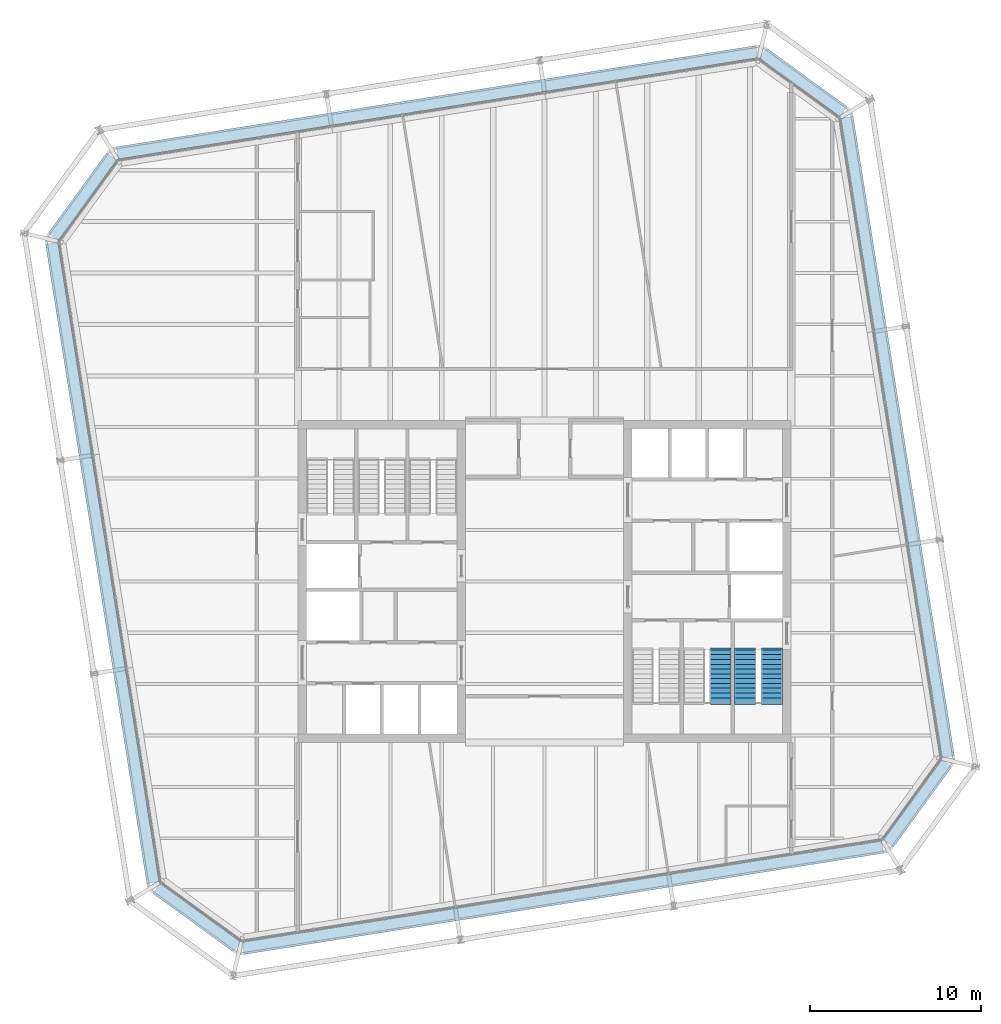
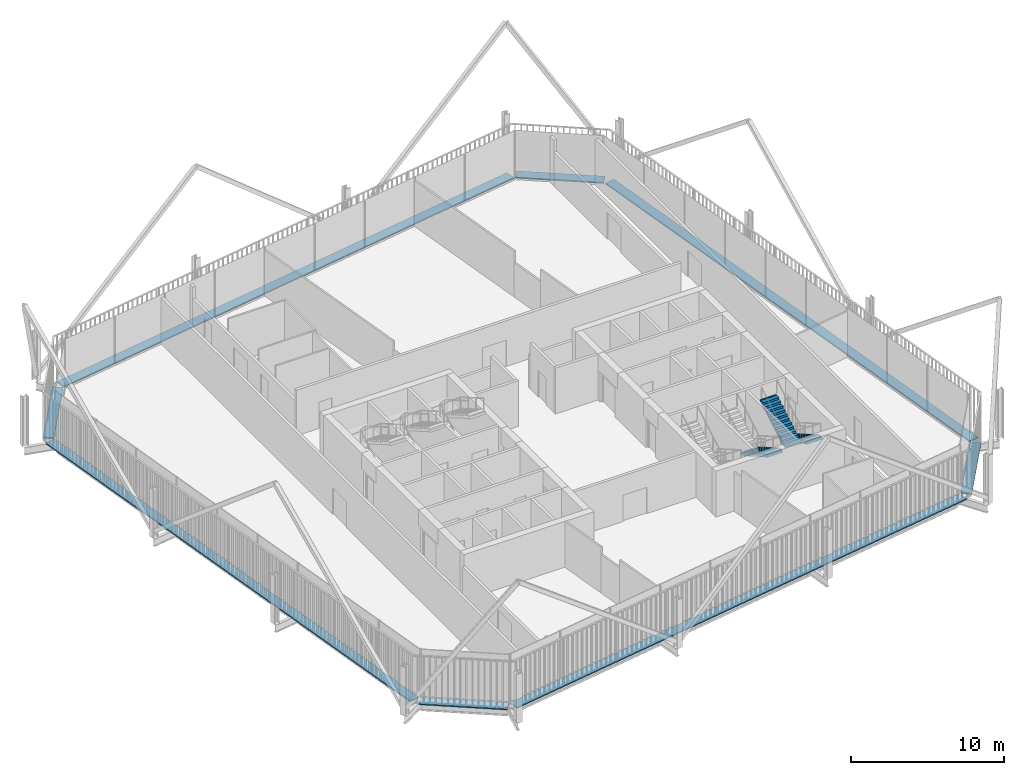
# One storey, part 20 of 21: 8 discrete accessories, 3 stair flights, 2 elements without a shape of their own.
"""IFC4 building model written with IfcOpenShell, lengths in metres."""

from ifc_helpers import new_model, si_unit, direction, frame, origin, origin_2d, place, context, subcontext, project, spatial, polyline, rectangle, outline, extrude, material, type_object, element, aggregate, save


model = new_model("IFC4")

# Units and contexts
model_context = context("Model", 3, precision=1e-05, world=origin(), true_north=direction((0.0, 1.0)))
body_context = subcontext(model_context, "Body", "Model", "MODEL_VIEW")
ifc_project = project(units=[si_unit("LENGTHUNIT", "METRE"), si_unit("AREAUNIT", "SQUARE_METRE"), si_unit("VOLUMEUNIT", "CUBIC_METRE"), si_unit("PLANEANGLEUNIT", "RADIAN"), si_unit("MASSUNIT", "GRAM", prefix="KILO")], contexts=[model_context])

# Site, building, storey
site_placement = place(None, origin())
site = spatial("IfcSite", under=ifc_project, at=site_placement, CompositionType="ELEMENT")
building_placement = place(site_placement, origin())
building = spatial("IfcBuilding", under=site, at=building_placement, Name="Millrace Tower", CompositionType="ELEMENT")
storey_placement = place(building_placement, frame((0.0, 0.0, 235.89990234375)))
storey = spatial("IfcBuildingStorey", under=building, at=storey_placement, Name="L54", CompositionType="ELEMENT", Elevation=235.89990234375)

# Stair, stair flights
ifc_material_1 = material(Name="Concrete C35", Category="concrete")
stair_type = type_object("IfcStairType", Name="Exit stair", PredefinedType="HALF_TURN_STAIR", material=ifc_material_1)
placement = place(storey_placement, origin())
stair_1 = element("IfcStair", 1, at=placement, inside=storey, type_object=stair_type, Name="Stair 1 E L54", PredefinedType="HALF_TURN_STAIR")
ifc_material_2 = material(Name="Concrete C35", Category="concrete")
stair_flight_type = type_object("IfcStairFlightType", Name="Exit stair flight", PredefinedType="STRAIGHT", material=ifc_material_2)
stair_flight_1_placement = place(storey_placement, frame((13.2900390625, -4.0, 0.0), z_axis=(0.0, 0.0, 1.0), x_axis=(0.0, -1.0, 0.0)))
stair_flight_1 = element("IfcStairFlight", 2, at=stair_flight_1_placement, type_object=stair_flight_type, Name="ST12 flight 1", NumberOfRisers=12, NumberOfTreads=11, PredefinedType="STRAIGHT", RiserHeight=0.1625, TreadLength=0.28, context=body_context, shape_type="SweptSolid", body=[
    extrude(outline(polyline([(-0.1201171875, -0.0400390625), (-0.1201171875, 0.0), (0.0, 0.0), (0.0, 0.16259765625), (0.280029296875, 0.16259765625), (0.280029296875, 0.324951171875), (0.56005859375, 0.324951171875), (0.56005859375, 0.487548828125), (0.840087890625, 0.487548828125), (0.840087890625, 0.64990234375), (1.1201171875, 0.64990234375), (1.1201171875, 0.8125), (1.39990234375, 0.8125), (1.39990234375, 0.97509765625), (1.679931640625, 0.97509765625), (1.679931640625, 1.137451171875), (1.9599609375, 1.137451171875), (1.9599609375, 1.300048828125), (2.239990234375, 1.300048828125), (2.239990234375, 1.46240234375), (2.52001953125, 1.46240234375), (2.52001953125, 1.625), (2.800048828125, 1.625), (2.800048828125, 1.78759765625), (3.080078125, 1.78759765625), (3.080078125, 1.8076171875), (3.199951171875, 1.8076171875), (3.199951171875, 1.6142578125), (3.080078125, 1.6142578125), (0.298583984375, 0.0), (0.298583984375, -0.0400390625), (-0.1201171875, -0.0400390625)])), frame((0.0, 0.60986328125, 0.0), z_axis=(0.0, -1.0, 0.0), x_axis=(1.0, 0.0, 0.0)), (0.0, 0.0, 1.0), 1.219970703125),
])
stair_flight_2_placement = place(storey_placement, frame((11.7099609375, -7.080078125, 1.9501953125), z_axis=(0.0, 0.0, 1.0), x_axis=(0.0, 1.0, 0.0)))
stair_flight_2 = element("IfcStairFlight", 3, at=stair_flight_2_placement, type_object=stair_flight_type, Name="ST12 flight 2", NumberOfRisers=12, NumberOfTreads=11, PredefinedType="STRAIGHT", RiserHeight=0.1625, TreadLength=0.28, context=body_context, shape_type="SweptSolid", body=[
    extrude(outline(polyline([(-0.1201171875, -0.0400390625), (-0.1201171875, 0.0), (0.0, 0.0), (0.0, 0.16259765625), (0.280029296875, 0.16259765625), (0.280029296875, 0.324951171875), (0.56005859375, 0.324951171875), (0.56005859375, 0.487548828125), (0.840087890625, 0.487548828125), (0.840087890625, 0.64990234375), (1.1201171875, 0.64990234375), (1.1201171875, 0.8125), (1.39990234375, 0.8125), (1.39990234375, 0.97509765625), (1.679931640625, 0.97509765625), (1.679931640625, 1.137451171875), (1.9599609375, 1.137451171875), (1.9599609375, 1.300048828125), (2.239990234375, 1.300048828125), (2.239990234375, 1.46240234375), (2.52001953125, 1.46240234375), (2.52001953125, 1.625), (2.800048828125, 1.625), (2.800048828125, 1.78759765625), (3.080078125, 1.78759765625), (3.080078125, 1.8076171875), (3.199951171875, 1.8076171875), (3.199951171875, 1.6142578125), (3.080078125, 1.6142578125), (0.298583984375, 0.0), (0.298583984375, -0.0400390625), (-0.1201171875, -0.0400390625)])), frame((0.0, 0.60986328125, 0.0), z_axis=(0.0, -1.0, 0.0), x_axis=(1.0, 0.0, 0.0)), (0.0, 0.0, 1.0), 1.219970703125),
])
aggregate(stair_1, [stair_flight_1, stair_flight_2])

# Stair, stair flight
stair_2 = element("IfcStair", 4, at=placement, inside=storey, type_object=stair_type, Name="Stair 2 E L54", PredefinedType="HALF_TURN_STAIR")
stair_flight_3_placement = place(storey_placement, frame((10.2900390625, -4.0, 0.0), z_axis=(0.0, 0.0, 1.0), x_axis=(0.0, -1.0, 0.0)))
stair_flight_3 = element("IfcStairFlight", 5, at=stair_flight_3_placement, type_object=stair_flight_type, Name="ST12 flight 1", NumberOfRisers=12, NumberOfTreads=11, PredefinedType="STRAIGHT", RiserHeight=0.1625, TreadLength=0.28, context=body_context, shape_type="SweptSolid", body=[
    extrude(outline(polyline([(-0.1201171875, -0.0400390625), (-0.1201171875, 0.0), (0.0, 0.0), (0.0, 0.16259765625), (0.280029296875, 0.16259765625), (0.280029296875, 0.324951171875), (0.56005859375, 0.324951171875), (0.56005859375, 0.487548828125), (0.840087890625, 0.487548828125), (0.840087890625, 0.64990234375), (1.1201171875, 0.64990234375), (1.1201171875, 0.8125), (1.39990234375, 0.8125), (1.39990234375, 0.97509765625), (1.679931640625, 0.97509765625), (1.679931640625, 1.137451171875), (1.9599609375, 1.137451171875), (1.9599609375, 1.300048828125), (2.239990234375, 1.300048828125), (2.239990234375, 1.46240234375), (2.52001953125, 1.46240234375), (2.52001953125, 1.625), (2.800048828125, 1.625), (2.800048828125, 1.78759765625), (3.080078125, 1.78759765625), (3.080078125, 1.8076171875), (3.199951171875, 1.8076171875), (3.199951171875, 1.6142578125), (3.080078125, 1.6142578125), (0.298583984375, 0.0), (0.298583984375, -0.0400390625), (-0.1201171875, -0.0400390625)])), frame((0.0, 0.60986328125, 0.0), z_axis=(0.0, -1.0, 0.0), x_axis=(1.0, 0.0, 0.0)), (0.0, 0.0, 1.0), 1.219970703125),
])
aggregate(stair_2, [stair_flight_3])

# Discrete accessories
ifc_material_3 = material(Name="Stainless steel ASTM A240 type 316", Category="steel")
discrete_accessory_type = type_object("IfcDiscreteAccessoryType", Name="Thermally broken screen support rail", PredefinedType="BRACKET", material=ifc_material_3)
discrete_accessory_1_placement = place(storey_placement, frame((-20.314453125, -19.632080078125, 0.0), z_axis=(0.0, 0.0, 1.0), x_axis=(0.809016955361, -0.587785305991, 0.0)))
element("IfcDiscreteAccessory", 6, at=discrete_accessory_1_placement, inside=storey, type_object=discrete_accessory_type, Name="Thermally broken screen support rail D-F01 L54 1", PredefinedType="BRACKET", context=body_context, shape_type="SweptSolid", body=[
    extrude(rectangle(XDim=5.79833984375, YDim=0.719970703125, at=origin_2d()), origin(), (0.0, 0.0, 1.0), 0.10009765625),
])
discrete_accessory_2_placement = place(storey_placement, frame((1.077880859375, -18.470458984375, 0.0), z_axis=(0.0, 0.0, 1.0), x_axis=(0.987688339511, 0.156434471884, 0.0)))
element("IfcDiscreteAccessory", 7, at=discrete_accessory_2_placement, inside=storey, type_object=discrete_accessory_type, Name="Thermally broken screen support rail D-F02 L54 1", PredefinedType="BRACKET", context=body_context, shape_type="SweptSolid", body=[
    extrude(rectangle(XDim=37.800048828125, YDim=0.719970703125, at=origin_2d()), origin(), (0.0, 0.0, 1.0), 0.10009765625),
])
discrete_accessory_3_placement = place(storey_placement, frame((21.781982421875, -12.964599609375, 0.0), z_axis=(0.0, 0.0, 1.0), x_axis=(0.587785305991, 0.809016955361, 0.0)))
element("IfcDiscreteAccessory", 8, at=discrete_accessory_3_placement, inside=storey, type_object=discrete_accessory_type, Name="Thermally broken screen support rail D-F03 L54 1", PredefinedType="BRACKET", context=body_context, shape_type="SweptSolid", body=[
    extrude(rectangle(XDim=5.79833984375, YDim=0.719970703125, at=origin_2d()), origin(), (0.0, 0.0, 1.0), 0.10009765625),
])
discrete_accessory_4_placement = place(storey_placement, frame((20.62060546875, 8.427734375, 0.0), z_axis=(0.0, 0.0, 1.0), x_axis=(-0.156434471884, 0.987688339511, 0.0)))
element("IfcDiscreteAccessory", 9, at=discrete_accessory_4_placement, inside=storey, type_object=discrete_accessory_type, Name="Thermally broken screen support rail D-F04 L54 1", PredefinedType="BRACKET", context=body_context, shape_type="SweptSolid", body=[
    extrude(rectangle(XDim=37.800048828125, YDim=0.719970703125, at=origin_2d()), origin(), (0.0, 0.0, 1.0), 0.10009765625),
])
discrete_accessory_5_placement = place(storey_placement, frame((15.114501953125, 29.132080078125, 0.0), z_axis=(0.0, 0.0, 1.0), x_axis=(-0.809016955361, 0.587785305991, 0.0)))
element("IfcDiscreteAccessory", 10, at=discrete_accessory_5_placement, inside=storey, type_object=discrete_accessory_type, Name="Thermally broken screen support rail D-F05 L54 1", PredefinedType="BRACKET", context=body_context, shape_type="SweptSolid", body=[
    extrude(rectangle(XDim=5.79833984375, YDim=0.719970703125, at=origin_2d()), origin(), (0.0, 0.0, 1.0), 0.10009765625),
])
discrete_accessory_6_placement = place(storey_placement, frame((-6.27783203125, 27.970458984375, 0.0), z_axis=(0.0, 0.0, 1.0), x_axis=(-0.987688339511, -0.156434471884, 0.0)))
element("IfcDiscreteAccessory", 11, at=discrete_accessory_6_placement, inside=storey, type_object=discrete_accessory_type, Name="Thermally broken screen support rail D-F06 L54 1", PredefinedType="BRACKET", context=body_context, shape_type="SweptSolid", body=[
    extrude(rectangle(XDim=37.800048828125, YDim=0.719970703125, at=origin_2d()), origin(), (0.0, 0.0, 1.0), 0.10009765625),
])
discrete_accessory_7_placement = place(storey_placement, frame((-26.98193359375, 22.464599609375, 0.0), z_axis=(0.0, 0.0, 1.0), x_axis=(-0.587785305991, -0.809016955361, 0.0)))
element("IfcDiscreteAccessory", 12, at=discrete_accessory_7_placement, inside=storey, type_object=discrete_accessory_type, Name="Thermally broken screen support rail D-F07 L54 1", PredefinedType="BRACKET", context=body_context, shape_type="SweptSolid", body=[
    extrude(rectangle(XDim=5.79833984375, YDim=0.719970703125, at=origin_2d()), origin(), (0.0, 0.0, 1.0), 0.10009765625),
])
discrete_accessory_8_placement = place(storey_placement, frame((-25.820556640625, 1.072265625, 0.0), z_axis=(0.0, 0.0, 1.0), x_axis=(0.156434471884, -0.987688339511, 0.0)))
element("IfcDiscreteAccessory", 13, at=discrete_accessory_8_placement, inside=storey, type_object=discrete_accessory_type, Name="Thermally broken screen support rail D-F08 L54 1", PredefinedType="BRACKET", context=body_context, shape_type="SweptSolid", body=[
    extrude(rectangle(XDim=37.800048828125, YDim=0.719970703125, at=origin_2d()), origin(), (0.0, 0.0, 1.0), 0.10009765625),
])

save(model, "model.ifc")
